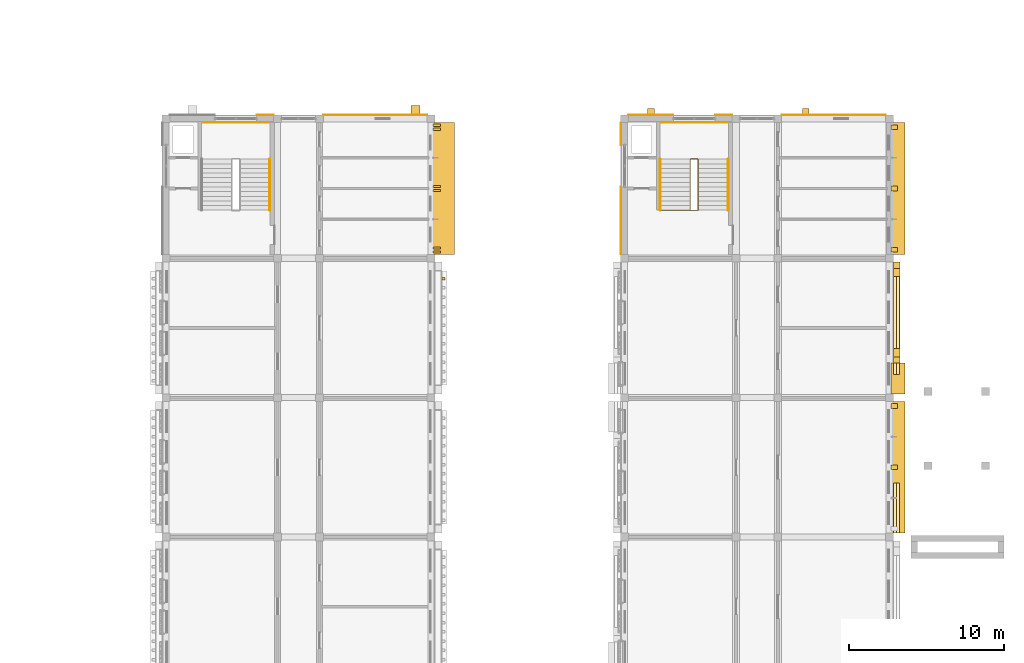
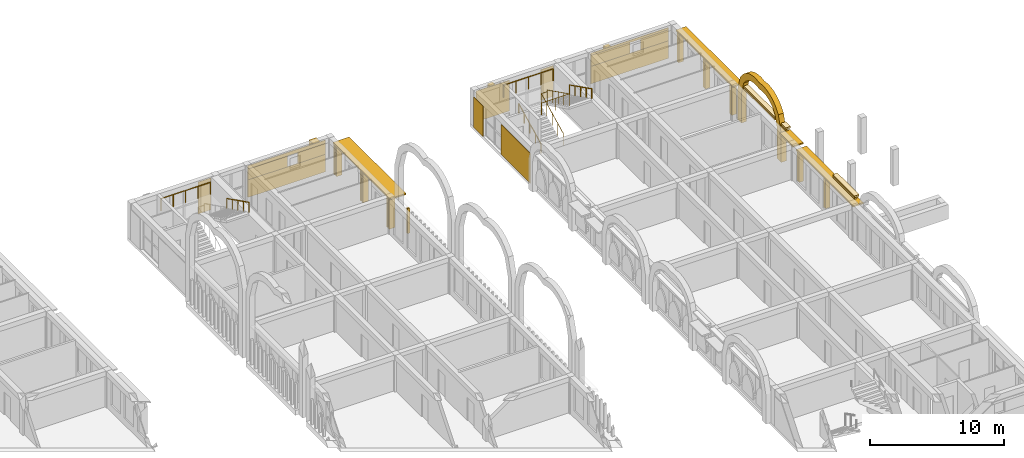
# One storey, part 82 of 82: 35 coverings, 6 railings, 4 shading devices.
"""IFC4 building model written with IfcOpenShell, lengths in metres."""

from ifc_helpers import new_model, si_unit, direction, frame, origin, origin_2d, place, context, subcontext, project, spatial, polyline, rectangle, circle, outline, extrude, material, layer, layer_set, type_object, element, save


model = new_model("IFC4")

# Units and contexts
model_context = context("Model", 3, precision=1e-05, world=origin(), true_north=direction((0.0, 1.0)))
body_context = subcontext(model_context, "Body", "Model", "MODEL_VIEW")
ifc_project = project(units=[si_unit("LENGTHUNIT", "METRE"), si_unit("AREAUNIT", "SQUARE_METRE"), si_unit("VOLUMEUNIT", "CUBIC_METRE"), si_unit("PLANEANGLEUNIT", "RADIAN"), si_unit("MASSUNIT", "GRAM", prefix="KILO")], contexts=[model_context])

# Site, building, storey
site_placement = place(None, origin())
site = spatial("IfcSite", under=ifc_project, at=site_placement, CompositionType="ELEMENT")
building_placement = place(site_placement, origin())
building = spatial("IfcBuilding", under=site, at=building_placement, Name="Elbe Cascade School", CompositionType="ELEMENT")
storey_placement = place(building_placement, frame((0.0, 0.0, 4.5)))
storey = spatial("IfcBuildingStorey", under=building, at=storey_placement, Name="L01", CompositionType="ELEMENT", Elevation=4.5)

# Railings
ifc_material_1 = material(Name="Steel S355J2H, painted", Category="steel")
railing_type_1 = type_object("IfcRailingType", Name="Bar stair guard 1100", PredefinedType="GUARDRAIL", material=ifc_material_1)
railing_1_placement = place(storey_placement, frame((130.56005859375, 59.760009765625, 1.800048828125)))
element("IfcRailing", 1, at=railing_1_placement, inside=storey, type_object=railing_type_1, Name="Stair guard C1.N", PredefinedType="GUARDRAIL", context=body_context, shape_type="SweptSolid", body=[
    extrude(circle(Radius=0.02392578125, at=origin_2d()), frame((0.0, 0.0, 1.09619140625), z_axis=(1.0, 0.0, 0.0), x_axis=(0.0, 1.0, 0.0)), (0.0, 0.0, 1.0), 4.280029296875),
    extrude(circle(Radius=0.02099609375, at=origin_2d()), origin(), (0.0, 0.0, 1.0), 1.072021484375),
    extrude(circle(Radius=0.02099609375, at=origin_2d()), frame((1.070068359375, 0.0, 0.0)), (0.0, 0.0, 1.0), 1.072021484375),
    extrude(circle(Radius=0.02099609375, at=origin_2d()), frame((2.14013671875, 0.0, 0.0)), (0.0, 0.0, 1.0), 1.072021484375),
    extrude(circle(Radius=0.02099609375, at=origin_2d()), frame((3.2099609375, 0.0, 0.0)), (0.0, 0.0, 1.0), 1.072021484375),
    extrude(circle(Radius=0.02099609375, at=origin_2d()), frame((4.280029296875, 0.0, 0.0)), (0.0, 0.0, 1.0), 1.072021484375),
])
railing_2_placement = place(storey_placement, frame((162.050048828125, 54.10009765625, 0.14990234375)))
element("IfcRailing", 2, at=railing_2_placement, inside=storey, type_object=railing_type_1, Name="Stair guard D1.N", PredefinedType="GUARDRAIL", context=body_context, shape_type="SweptSolid", body=[
    extrude(circle(Radius=0.02392578125, at=origin_2d()), frame((0.0, 0.0, 1.09619140625), z_axis=(0.0, 0.894400720042, 0.447266533499), x_axis=(-1.0, 0.0, 0.0)), (0.0, 0.0, 1.0), 3.689453125),
    extrude(circle(Radius=0.02392578125, at=origin_2d()), frame((0.0, 3.2998046875, 2.74609375), z_axis=(1.0, 0.0, 0.0), x_axis=(0.0, 1.0, 0.0)), (0.0, 0.0, 1.0), 0.5),
    extrude(circle(Radius=0.02392578125, at=origin_2d()), frame((0.5, 3.2998046875, 2.74609375), z_axis=(0.0, 0.0, 1.0), x_axis=(1.0, 0.0, 0.0)), (0.0, 0.0, 1.0), 0.14990234375),
    extrude(circle(Radius=0.02392578125, at=origin_2d()), frame((0.5, 3.2998046875, 2.89599609375), z_axis=(0.0, -0.894400720042, 0.447266533499), x_axis=(1.0, 0.0, 0.0)), (0.0, 0.0, 1.0), 3.689453125),
    extrude(circle(Radius=0.02392578125, at=origin_2d()), frame((0.5, 0.0, 4.54638671875), z_axis=(-1.0, 0.0, 0.0), x_axis=(0.0, -1.0, 0.0)), (0.0, 0.0, 1.0), 2.39013671875),
    extrude(circle(Radius=0.02099609375, at=origin_2d()), origin(), (0.0, 0.0, 1.0), 1.072021484375),
    extrude(circle(Radius=0.02099609375, at=origin_2d()), frame((0.0, 0.824951171875, 0.41259765625)), (0.0, 0.0, 1.0), 1.072021484375),
    extrude(circle(Radius=0.02099609375, at=origin_2d()), frame((0.0, 1.64990234375, 0.8251953125)), (0.0, 0.0, 1.0), 1.072021484375),
    extrude(circle(Radius=0.02099609375, at=origin_2d()), frame((0.0, 2.474853515625, 1.237548828125)), (0.0, 0.0, 1.0), 1.072021484375),
    extrude(circle(Radius=0.02099609375, at=origin_2d()), frame((0.0, 3.2998046875, 1.650146484375)), (0.0, 0.0, 1.0), 1.072021484375),
    extrude(circle(Radius=0.02099609375, at=origin_2d()), frame((0.5, 3.2998046875, 1.650146484375)), (0.0, 0.0, 1.0), 1.072021484375),
    extrude(circle(Radius=0.02099609375, at=origin_2d()), frame((0.5, 3.2998046875, 1.800048828125)), (0.0, 0.0, 1.0), 1.072021484375),
    extrude(circle(Radius=0.02099609375, at=origin_2d()), frame((0.5, 2.474853515625, 2.212646484375)), (0.0, 0.0, 1.0), 1.072021484375),
    extrude(circle(Radius=0.02099609375, at=origin_2d()), frame((0.5, 1.64990234375, 2.625)), (0.0, 0.0, 1.0), 1.072021484375),
    extrude(circle(Radius=0.02099609375, at=origin_2d()), frame((0.5, 0.824951171875, 3.03759765625)), (0.0, 0.0, 1.0), 1.072021484375),
    extrude(circle(Radius=0.02099609375, at=origin_2d()), frame((0.5, 0.0, 3.4501953125)), (0.0, 0.0, 1.0), 1.072021484375),
    extrude(circle(Radius=0.02099609375, at=origin_2d()), frame((-0.695068359375, 0.0, 3.4501953125)), (0.0, 0.0, 1.0), 1.072021484375),
    extrude(circle(Radius=0.02099609375, at=origin_2d()), frame((-1.89013671875, 0.0, 3.4501953125)), (0.0, 0.0, 1.0), 1.072021484375),
])
railing_3_placement = place(storey_placement, frame((160.159912109375, 59.760009765625, 1.800048828125)))
element("IfcRailing", 3, at=railing_3_placement, inside=storey, type_object=railing_type_1, Name="Stair guard D1.N", PredefinedType="GUARDRAIL", context=body_context, shape_type="SweptSolid", body=[
    extrude(circle(Radius=0.02392578125, at=origin_2d()), frame((0.0, 0.0, 1.09619140625), z_axis=(1.0, 0.0, 0.0), x_axis=(0.0, 1.0, 0.0)), (0.0, 0.0, 1.0), 4.280029296875),
    extrude(circle(Radius=0.02099609375, at=origin_2d()), origin(), (0.0, 0.0, 1.0), 1.072021484375),
    extrude(circle(Radius=0.02099609375, at=origin_2d()), frame((1.070068359375, 0.0, 0.0)), (0.0, 0.0, 1.0), 1.072021484375),
    extrude(circle(Radius=0.02099609375, at=origin_2d()), frame((2.14013671875, 0.0, 0.0)), (0.0, 0.0, 1.0), 1.072021484375),
    extrude(circle(Radius=0.02099609375, at=origin_2d()), frame((3.2099609375, 0.0, 0.0)), (0.0, 0.0, 1.0), 1.072021484375),
    extrude(circle(Radius=0.02099609375, at=origin_2d()), frame((4.280029296875, 0.0, 0.0)), (0.0, 0.0, 1.0), 1.072021484375),
])
ifc_material_2 = material(Name="Steel S355J2H, painted", Category="steel")
railing_type_2 = type_object("IfcRailingType", Name="Bar stair handrail 900", PredefinedType="HANDRAIL", material=ifc_material_2)
railing_4_placement = place(storey_placement, frame((134.89990234375, 57.39990234375, 1.949951171875)))
element("IfcRailing", 4, at=railing_4_placement, inside=storey, type_object=railing_type_2, Name="Stair handrail C1.N", PredefinedType="HANDRAIL", context=body_context, shape_type="SweptSolid", body=[
    extrude(circle(Radius=0.02392578125, at=origin_2d()), frame((0.0, 0.0, 0.8759765625), z_axis=(0.0, -0.894400720042, 0.447266533499), x_axis=(1.0, 0.0, 0.0)), (0.0, 0.0, 1.0), 3.689453125),
    extrude(circle(Radius=0.02099609375, at=origin_2d()), origin(), (0.0, 0.0, 1.0), 0.851806640625),
    extrude(circle(Radius=0.02099609375, at=origin_2d()), frame((0.0, -0.824951171875, 0.41259765625)), (0.0, 0.0, 1.0), 0.851806640625),
    extrude(circle(Radius=0.02099609375, at=origin_2d()), frame((0.0, -1.64990234375, 0.8251953125)), (0.0, 0.0, 1.0), 0.851806640625),
    extrude(circle(Radius=0.02099609375, at=origin_2d()), frame((0.0, -2.474853515625, 1.237548828125)), (0.0, 0.0, 1.0), 0.851806640625),
    extrude(circle(Radius=0.02099609375, at=origin_2d()), frame((0.0, -3.2998046875, 1.650146484375)), (0.0, 0.0, 1.0), 0.851806640625),
])
railing_5_placement = place(storey_placement, frame((160.10009765625, 54.10009765625, 0.14990234375)))
element("IfcRailing", 5, at=railing_5_placement, inside=storey, type_object=railing_type_2, Name="Stair handrail D1.N", PredefinedType="HANDRAIL", context=body_context, shape_type="SweptSolid", body=[
    extrude(circle(Radius=0.02392578125, at=origin_2d()), frame((0.0, 0.0, 0.8759765625), z_axis=(0.0, 0.894400720042, 0.447266533499), x_axis=(-1.0, 0.0, 0.0)), (0.0, 0.0, 1.0), 3.689453125),
    extrude(circle(Radius=0.02099609375, at=origin_2d()), origin(), (0.0, 0.0, 1.0), 0.851806640625),
    extrude(circle(Radius=0.02099609375, at=origin_2d()), frame((0.0, 0.824951171875, 0.41259765625)), (0.0, 0.0, 1.0), 0.851806640625),
    extrude(circle(Radius=0.02099609375, at=origin_2d()), frame((0.0, 1.64990234375, 0.8251953125)), (0.0, 0.0, 1.0), 0.851806640625),
    extrude(circle(Radius=0.02099609375, at=origin_2d()), frame((0.0, 2.474853515625, 1.237548828125)), (0.0, 0.0, 1.0), 0.851806640625),
    extrude(circle(Radius=0.02099609375, at=origin_2d()), frame((0.0, 3.2998046875, 1.650146484375)), (0.0, 0.0, 1.0), 0.851806640625),
])
railing_6_placement = place(storey_placement, frame((164.5, 57.39990234375, 1.949951171875)))
element("IfcRailing", 6, at=railing_6_placement, inside=storey, type_object=railing_type_2, Name="Stair handrail D1.N", PredefinedType="HANDRAIL", context=body_context, shape_type="SweptSolid", body=[
    extrude(circle(Radius=0.02392578125, at=origin_2d()), frame((0.0, 0.0, 0.8759765625), z_axis=(0.0, -0.894400720042, 0.447266533499), x_axis=(1.0, 0.0, 0.0)), (0.0, 0.0, 1.0), 3.689453125),
    extrude(circle(Radius=0.02099609375, at=origin_2d()), origin(), (0.0, 0.0, 1.0), 0.851806640625),
    extrude(circle(Radius=0.02099609375, at=origin_2d()), frame((0.0, -0.824951171875, 0.41259765625)), (0.0, 0.0, 1.0), 0.851806640625),
    extrude(circle(Radius=0.02099609375, at=origin_2d()), frame((0.0, -1.64990234375, 0.8251953125)), (0.0, 0.0, 1.0), 0.851806640625),
    extrude(circle(Radius=0.02099609375, at=origin_2d()), frame((0.0, -2.474853515625, 1.237548828125)), (0.0, 0.0, 1.0), 0.851806640625),
    extrude(circle(Radius=0.02099609375, at=origin_2d()), frame((0.0, -3.2998046875, 1.650146484375)), (0.0, 0.0, 1.0), 0.851806640625),
])

# Shading devices
ifc_material_3 = material(Name="Precast concrete C30/37", Category="concrete")
ifc_layer_1 = layer(ifc_material_3, 0.1201171875)
ifc_layer_set_1 = layer_set([ifc_layer_1], Name="Precast concrete C30/37")
shading_device_type_1 = type_object("IfcShadingDeviceType", Name="Bars envelope Chhajja eave, precast concrete, 1400 x 120", PredefinedType="USERDEFINED", material=ifc_layer_set_1)
shading_device_1_placement = place(storey_placement, frame((146.1201171875, 55.5, 2.72998046875), z_axis=(0.0, 0.0, 1.0), x_axis=(0.0, 1.0, 0.0)))
element("IfcShadingDevice", 7, at=shading_device_1_placement, inside=storey, type_object=shading_device_type_1, Name="Chhajja eave SD8 C.L01.e6", ObjectType="CHHAJJA", PredefinedType="USERDEFINED", context=body_context, shape_type="SweptSolid", body=[
    extrude(rectangle(XDim=8.5, YDim=1.39990234375, at=origin_2d()), origin(), (0.0, 0.0, 1.0), 0.1201171875),
])
ifc_material_4 = material(Name="Precast concrete C30/37", Category="concrete")
ifc_layer_2 = layer(ifc_material_4, 0.1201171875)
ifc_layer_set_2 = layer_set([ifc_layer_2], Name="Precast concrete C30/37")
shading_device_type_2 = type_object("IfcShadingDeviceType", Name="Bars envelope Chhajja eave, precast concrete, 900 x 120", PredefinedType="USERDEFINED", material=ifc_layer_set_2)
shading_device_2_placement = place(storey_placement, frame((175.469970703125, 37.5, 2.6298828125), z_axis=(0.0, 0.0, 1.0), x_axis=(0.0, 1.0, 0.0)))
element("IfcShadingDevice", 8, at=shading_device_2_placement, inside=storey, type_object=shading_device_type_2, Name="Chhajja eave SD2 D.L01.e4", ObjectType="CHHAJJA", PredefinedType="USERDEFINED", context=body_context, shape_type="SweptSolid", body=[
    extrude(rectangle(XDim=8.5, YDim=0.89990234375, at=origin_2d()), origin(), (0.0, 0.0, 1.0), 0.1201171875),
])
shading_device_3_placement = place(storey_placement, frame((175.469970703125, 43.239990234375, 2.6298828125), z_axis=(0.0, 0.0, 1.0), x_axis=(0.0, 1.0, 0.0)))
element("IfcShadingDevice", 9, at=shading_device_3_placement, inside=storey, type_object=shading_device_type_2, Name="Chhajja eave SD2 D.L01.e5a", ObjectType="CHHAJJA", PredefinedType="USERDEFINED", context=body_context, shape_type="SweptSolid", body=[
    extrude(rectangle(XDim=1.97998046875, YDim=0.89990234375, at=origin_2d()), origin(), (0.0, 0.0, 1.0), 0.1201171875),
])
shading_device_4_placement = place(storey_placement, frame((175.469970703125, 55.5, 2.6298828125), z_axis=(0.0, 0.0, 1.0), x_axis=(0.0, 1.0, 0.0)))
element("IfcShadingDevice", 10, at=shading_device_4_placement, inside=storey, type_object=shading_device_type_2, Name="Chhajja eave SD2 D.L01.e6", ObjectType="CHHAJJA", PredefinedType="USERDEFINED", context=body_context, shape_type="SweptSolid", body=[
    extrude(rectangle(XDim=8.5, YDim=0.89990234375, at=origin_2d()), origin(), (0.0, 0.0, 1.0), 0.1201171875),
])

# Coverings
ifc_material_5 = material(Name="Precast concrete C40/50", Category="concrete")
covering_type_1 = type_object("IfcCoveringType", Name="Bars envelope Precast concrete fin, 140 wide, 500 deep", PredefinedType="CLADDING", material=ifc_material_5)
for number, where, z_axis, x_axis, name in (
    (11, (145.669921875, 51.409912109375, 0.0), (0.0, 0.0, 1.0), (0.0, 1.0, 0.0), "Fin CV62 C.L01.e6.1"),
    (12, (145.669921875, 51.669921875, 0.0), (0.0, 0.0, 1.0), (0.0, 1.0, 0.0), "Fin CV62 C.L01.e6.2"),
    (13, (145.669921875, 55.3701171875, 0.0), (0.0, 0.0, 1.0), (0.0, 1.0, 0.0), "Fin CV62 C.L01.e6.3"),
    (14, (145.669921875, 55.6298828125, 0.0), (0.0, 0.0, 1.0), (0.0, 1.0, 0.0), "Fin CV62 C.L01.e6.4"),
    (15, (145.669921875, 59.330078125, 0.0), (0.0, 0.0, 1.0), (0.0, 1.0, 0.0), "Fin CV62 C.L01.e6.5"),
    (16, (145.669921875, 59.590087890625, 0.0), (0.0, 0.0, 1.0), (0.0, 1.0, 0.0), "Fin CV62 C.L01.e6.6"),
):
    element("IfcCovering", number, at=place(storey_placement, frame(where, z_axis=z_axis, x_axis=x_axis)), inside=storey, type_object=covering_type_1, Name=name, PredefinedType="CLADDING", context=body_context, shape_type="SweptSolid", body=[
        extrude(rectangle(XDim=0.139892578125, YDim=0.5, at=origin_2d()), origin(), (0.0, 0.0, 1.0), 2.72998046875),
    ])
ifc_material_6 = material(Name="Precast concrete C40/50", Category="concrete")
covering_type_2 = type_object("IfcCoveringType", Name="Bars envelope Precast concrete fin, 300 wide, 400 deep", PredefinedType="CLADDING", material=ifc_material_6)
for number, where, z_axis, x_axis, name in (
    (17, (175.219970703125, 37.5, 0.0), (0.0, 0.0, 1.0), (0.0, 1.0, 0.0), "Fin CV67 D.L01.e4.2"),
    (18, (175.219970703125, 41.4599609375, 0.0), (0.0, 0.0, 1.0), (0.0, 1.0, 0.0), "Fin CV67 D.L01.e4.3"),
    (19, (175.219970703125, 51.5400390625, 0.0), (0.0, 0.0, 1.0), (0.0, 1.0, 0.0), "Fin CV67 D.L01.e6.1"),
    (20, (175.219970703125, 55.5, 0.0), (0.0, 0.0, 1.0), (0.0, 1.0, 0.0), "Fin CV67 D.L01.e6.2"),
    (21, (175.219970703125, 59.4599609375, 0.0), (0.0, 0.0, 1.0), (0.0, 1.0, 0.0), "Fin CV67 D.L01.e6.3"),
):
    element("IfcCovering", number, at=place(storey_placement, frame(where, z_axis=z_axis, x_axis=x_axis)), inside=storey, type_object=covering_type_2, Name=name, PredefinedType="CLADDING", context=body_context, shape_type="SweptSolid", body=[
        extrude(rectangle(XDim=0.300048828125, YDim=0.39990234375, at=origin_2d()), origin(), (0.0, 0.0, 1.0), 2.6298828125),
    ])
ifc_material_7 = material(Name="Precast concrete C40/50", Category="concrete")
covering_type_3 = type_object("IfcCoveringType", Name="Bars envelope Precast concrete gable fin, 450 wide, 400 deep", PredefinedType="CLADDING", material=ifc_material_7)
for number, where, z_axis, x_axis, name in (
    (22, (159.5, 60.4599609375, 0.0), (0.0, 0.0, 1.0), (1.0, 0.0, 0.0), "Fin CV69 D.L01.n.1"),
    (23, (169.5, 60.4599609375, 0.0), (0.0, 0.0, 1.0), (1.0, 0.0, 0.0), "Fin CV69 D.L01.n.2"),
):
    element("IfcCovering", number, at=place(storey_placement, frame(where, z_axis=z_axis, x_axis=x_axis)), inside=storey, type_object=covering_type_3, Name=name, PredefinedType="CLADDING", context=body_context, shape_type="SweptSolid", body=[
        extrude(rectangle(XDim=0.449951171875, YDim=0.39990234375, at=origin_2d()), origin(), (0.0, 0.0, 1.0), 2.800048828125),
    ])
ifc_material_8 = material(Name="Precast concrete C40/50", Category="concrete")
covering_type_4 = type_object("IfcCoveringType", Name="Bars envelope Precast concrete gable fin, 600 wide, 600 deep", PredefinedType="CLADDING", material=ifc_material_8)
covering_1_placement = place(storey_placement, frame((144.300048828125, 60.56005859375, 0.0), z_axis=(0.0, 0.0, 1.0), x_axis=(1.0, 0.0, 0.0)))
element("IfcCovering", 24, at=covering_1_placement, inside=storey, type_object=covering_type_4, Name="Fin CV63 C.L01.n.2", PredefinedType="CLADDING", context=body_context, shape_type="SweptSolid", body=[
    extrude(rectangle(XDim=0.60009765625, YDim=0.60009765625, at=origin_2d()), origin(), (0.0, 0.0, 1.0), 2.89990234375),
])
ifc_material_9 = material(Name="Sandstone - red", Category="masonry")
covering_type_5 = type_object("IfcCoveringType", Name="Bars envelope Sandstone arch frame triple, 6520 wide, 450 deep", PredefinedType="CLADDING", material=ifc_material_9)
covering_2_placement = place(storey_placement, frame((175.60009765625, 44.81005859375, 0.0), z_axis=(1.0, 0.0, 0.0), x_axis=(0.0, 0.0, 1.0)))
element("IfcCovering", 25, at=covering_2_placement, inside=storey, type_object=covering_type_5, Name="Arch frame CV70 D.L01.e5", PredefinedType="CLADDING", context=body_context, shape_type="SweptSolid", body=[
    extrude(outline(polyline([(0.0, 0.0), (2.699951171875, 0.0), (3.83837890625, -0.3349609375), (4.23828125, -0.669921875), (4.49267578125, -1.0048828125), (4.658447265625, -1.33984375), (4.757568359375, -1.675048828125), (4.79931640625, -2.010009765625), (4.787109375, -2.344970703125), (4.719970703125, -2.679931640625), (4.787109375, -3.014892578125), (4.79931640625, -3.349853515625), (4.757568359375, -3.68505859375), (4.658447265625, -4.02001953125), (4.49267578125, -4.35498046875), (4.23828125, -4.68994140625), (3.83837890625, -5.02490234375), (2.699951171875, -5.35986328125), (0.0, -5.35986328125), (0.0, -5.93994140625), (2.699951171875, -5.93994140625), (4.11669921875, -5.532470703125), (4.618896484375, -5.125), (4.94189453125, -4.717529296875), (5.156982421875, -4.31005859375), (5.29150390625, -3.90234375), (5.357666015625, -3.494873046875), (5.3603515625, -3.08740234375), (5.300048828125, -2.679931640625), (5.3603515625, -2.2724609375), (5.357666015625, -1.864990234375), (5.29150390625, -1.45751953125), (5.156982421875, -1.050048828125), (4.94189453125, -0.642333984375), (4.618896484375, -0.23486328125), (4.11669921875, 0.172607421875), (2.699951171875, 0.580078125), (0.0, 0.580078125), (0.0, 0.0)])), origin(), (0.0, 0.0, -1.0), 0.449951171875),
])
ifc_material_10 = material(Name="Sandstone - red", Category="masonry")
ifc_layer_3 = layer(ifc_material_10, 0.0400390625)
ifc_layer_set_3 = layer_set([ifc_layer_3], Name="Sandstone - red")
covering_type_6 = type_object("IfcCoveringType", Name="Bars envelope Sandstone cladding, red, 40 mm", PredefinedType="CLADDING", material=ifc_layer_set_3)
covering_3_placement = place(storey_placement, frame((134.60009765625, 60.239990234375, 0.0), z_axis=(0.0, 0.0, 1.0), x_axis=(1.0, 0.0, 0.0)))
element("IfcCovering", 26, at=covering_3_placement, inside=storey, type_object=covering_type_6, Name="Sandstone cladding CV48 C.L01.n.1b.1", PredefinedType="CLADDING", context=body_context, shape_type="SweptSolid", body=[
    extrude(rectangle(XDim=1.10009765625, YDim=0.0400390625, at=origin_2d()), origin(), (0.0, 0.0, 1.0), 2.89990234375),
])
covering_4_placement = place(storey_placement, frame((141.699951171875, 60.239990234375, 0.0), z_axis=(0.0, 0.0, 1.0), x_axis=(1.0, 0.0, 0.0)))
element("IfcCovering", 27, at=covering_4_placement, inside=storey, type_object=covering_type_6, Name="Sandstone cladding CV48 C.L01.n.3.1", PredefinedType="CLADDING", context=body_context, shape_type="SweptSolid", body=[
    extrude(rectangle(XDim=6.699951171875, YDim=0.0400390625, at=origin_2d()), origin(), (0.0, 0.0, 1.0), 1.60009765625),
])
covering_5_placement = place(storey_placement, frame((140.050048828125, 60.239990234375, 1.60009765625), z_axis=(0.0, 0.0, 1.0), x_axis=(1.0, 0.0, 0.0)))
element("IfcCovering", 28, at=covering_5_placement, inside=storey, type_object=covering_type_6, Name="Sandstone cladding CV48 C.L01.n.3.2", PredefinedType="CLADDING", context=body_context, shape_type="SweptSolid", body=[
    extrude(rectangle(XDim=3.39990234375, YDim=0.0400390625, at=origin_2d()), origin(), (0.0, 0.0, 1.0), 1.0),
])
covering_6_placement = place(storey_placement, frame((143.85009765625, 60.239990234375, 1.60009765625), z_axis=(0.0, 0.0, 1.0), x_axis=(1.0, 0.0, 0.0)))
element("IfcCovering", 29, at=covering_6_placement, inside=storey, type_object=covering_type_6, Name="Sandstone cladding CV48 C.L01.n.3.3", PredefinedType="CLADDING", context=body_context, shape_type="SweptSolid", body=[
    extrude(rectangle(XDim=2.39990234375, YDim=0.0400390625, at=origin_2d()), origin(), (0.0, 0.0, 1.0), 1.0),
])
covering_7_placement = place(storey_placement, frame((141.699951171875, 60.239990234375, 2.60009765625), z_axis=(0.0, 0.0, 1.0), x_axis=(1.0, 0.0, 0.0)))
element("IfcCovering", 30, at=covering_7_placement, inside=storey, type_object=covering_type_6, Name="Sandstone cladding CV48 C.L01.n.3.4", PredefinedType="CLADDING", context=body_context, shape_type="SweptSolid", body=[
    extrude(rectangle(XDim=6.699951171875, YDim=0.0400390625, at=origin_2d()), origin(), (0.0, 0.0, 1.0), 0.300048828125),
])
covering_8_placement = place(storey_placement, frame((157.56005859375, 53.429931640625, 0.0), z_axis=(0.0, 0.0, 1.0), x_axis=(0.0, 1.0, 0.0)))
element("IfcCovering", 31, at=covering_8_placement, inside=storey, type_object=covering_type_6, Name="Sandstone cladding CV48 D.L01.w.6a.1", PredefinedType="CLADDING", context=body_context, shape_type="SweptSolid", body=[
    extrude(rectangle(XDim=4.360107421875, YDim=0.0400390625, at=origin_2d()), origin(), (0.0, 0.0, 1.0), 2.75),
])
covering_9_placement = place(storey_placement, frame((157.56005859375, 59.030029296875, 0.0), z_axis=(0.0, 0.0, 1.0), x_axis=(0.0, 1.0, 0.0)))
element("IfcCovering", 32, at=covering_9_placement, inside=storey, type_object=covering_type_6, Name="Sandstone cladding CV48 D.L01.w.6b.1", PredefinedType="CLADDING", context=body_context, shape_type="SweptSolid", body=[
    extrude(rectangle(XDim=1.43994140625, YDim=0.0400390625, at=origin_2d()), origin(), (0.0, 0.0, 1.0), 2.75),
])
covering_10_placement = place(storey_placement, frame((159.5, 60.239990234375, 0.0), z_axis=(0.0, 0.0, 1.0), x_axis=(1.0, 0.0, 0.0)))
element("IfcCovering", 33, at=covering_10_placement, inside=storey, type_object=covering_type_6, Name="Sandstone cladding CV48 D.L01.n.1a.1", PredefinedType="CLADDING", context=body_context, shape_type="SweptSolid", body=[
    extrude(rectangle(XDim=2.89990234375, YDim=0.0400390625, at=origin_2d()), origin(), (0.0, 0.0, 1.0), 2.800048828125),
])
covering_11_placement = place(storey_placement, frame((164.199951171875, 60.239990234375, 0.0), z_axis=(0.0, 0.0, 1.0), x_axis=(1.0, 0.0, 0.0)))
element("IfcCovering", 34, at=covering_11_placement, inside=storey, type_object=covering_type_6, Name="Sandstone cladding CV48 D.L01.n.1b.1", PredefinedType="CLADDING", context=body_context, shape_type="SweptSolid", body=[
    extrude(rectangle(XDim=1.10009765625, YDim=0.0400390625, at=origin_2d()), origin(), (0.0, 0.0, 1.0), 2.800048828125),
])
covering_12_placement = place(storey_placement, frame((171.300048828125, 60.239990234375, 0.0), z_axis=(0.0, 0.0, 1.0), x_axis=(1.0, 0.0, 0.0)))
element("IfcCovering", 35, at=covering_12_placement, inside=storey, type_object=covering_type_6, Name="Sandstone cladding CV48 D.L01.n.3.1", PredefinedType="CLADDING", context=body_context, shape_type="SweptSolid", body=[
    extrude(rectangle(XDim=6.699951171875, YDim=0.0400390625, at=origin_2d()), origin(), (0.0, 0.0, 1.0), 1.60009765625),
])
covering_13_placement = place(storey_placement, frame((169.64990234375, 60.239990234375, 1.60009765625), z_axis=(0.0, 0.0, 1.0), x_axis=(1.0, 0.0, 0.0)))
element("IfcCovering", 36, at=covering_13_placement, inside=storey, type_object=covering_type_6, Name="Sandstone cladding CV48 D.L01.n.3.2", PredefinedType="CLADDING", context=body_context, shape_type="SweptSolid", body=[
    extrude(rectangle(XDim=3.39990234375, YDim=0.0400390625, at=origin_2d()), origin(), (0.0, 0.0, 1.0), 1.0),
])
covering_14_placement = place(storey_placement, frame((173.449951171875, 60.239990234375, 1.60009765625), z_axis=(0.0, 0.0, 1.0), x_axis=(1.0, 0.0, 0.0)))
element("IfcCovering", 37, at=covering_14_placement, inside=storey, type_object=covering_type_6, Name="Sandstone cladding CV48 D.L01.n.3.3", PredefinedType="CLADDING", context=body_context, shape_type="SweptSolid", body=[
    extrude(rectangle(XDim=2.39990234375, YDim=0.0400390625, at=origin_2d()), origin(), (0.0, 0.0, 1.0), 1.0),
])
covering_15_placement = place(storey_placement, frame((171.300048828125, 60.239990234375, 2.60009765625), z_axis=(0.0, 0.0, 1.0), x_axis=(1.0, 0.0, 0.0)))
element("IfcCovering", 38, at=covering_15_placement, inside=storey, type_object=covering_type_6, Name="Sandstone cladding CV48 D.L01.n.3.4", PredefinedType="CLADDING", context=body_context, shape_type="SweptSolid", body=[
    extrude(rectangle(XDim=6.699951171875, YDim=0.0400390625, at=origin_2d()), origin(), (0.0, 0.0, 1.0), 0.199951171875),
])
ifc_material_11 = material(Name="Sandstone - red", Category="masonry")
covering_type_7 = type_object("IfcCoveringType", Name="Bars envelope Sandstone cornice lower step, 200 deep", PredefinedType="CLADDING", material=ifc_material_11)
covering_16_placement = place(storey_placement, frame((175.25, 34.875, 3.300048828125), z_axis=(0.0, 0.0, 1.0), x_axis=(0.0, 1.0, 0.0)))
element("IfcCovering", 39, at=covering_16_placement, inside=storey, type_object=covering_type_7, Name="Cornice CV71 D.L01.e3.1a", PredefinedType="CLADDING", context=body_context, shape_type="SweptSolid", body=[
    extrude(rectangle(XDim=3.25, YDim=0.199951171875, at=origin_2d()), origin(), (0.0, 0.0, 1.0), 0.14990234375),
])
covering_17_placement = place(storey_placement, frame((175.25, 43.864990234375, 3.300048828125), z_axis=(0.0, 0.0, 1.0), x_axis=(0.0, 1.0, 0.0)))
element("IfcCovering", 40, at=covering_17_placement, inside=storey, type_object=covering_type_7, Name="Cornice CV71 D.L01.e4.1a", PredefinedType="CLADDING", context=body_context, shape_type="SweptSolid", body=[
    extrude(rectangle(XDim=0.72998046875, YDim=0.199951171875, at=origin_2d()), origin(), (0.0, 0.0, 1.0), 0.14990234375),
])
covering_18_placement = place(storey_placement, frame((175.25, 47.489990234375, 3.300048828125), z_axis=(0.0, 0.0, 1.0), x_axis=(0.0, 1.0, 0.0)))
element("IfcCovering", 41, at=covering_18_placement, inside=storey, type_object=covering_type_7, Name="Cornice CV71 D.L01.e4.2a", PredefinedType="CLADDING", context=body_context, shape_type="SweptSolid", body=[
    extrude(rectangle(XDim=4.659912109375, YDim=0.199951171875, at=origin_2d()), origin(), (0.0, 0.0, 1.0), 0.14990234375),
])
ifc_material_12 = material(Name="Sandstone - red", Category="masonry")
covering_type_8 = type_object("IfcCoveringType", Name="Bars envelope Sandstone cornice upper step, 400 deep", PredefinedType="CLADDING", material=ifc_material_12)
covering_19_placement = place(storey_placement, frame((175.35009765625, 34.875, 3.449951171875), z_axis=(0.0, 0.0, 1.0), x_axis=(0.0, 1.0, 0.0)))
element("IfcCovering", 42, at=covering_19_placement, inside=storey, type_object=covering_type_8, Name="Cornice CV72 D.L01.e3.1b", PredefinedType="CLADDING", context=body_context, shape_type="SweptSolid", body=[
    extrude(rectangle(XDim=3.25, YDim=0.39990234375, at=origin_2d()), origin(), (0.0, 0.0, 1.0), 0.14990234375),
])
covering_20_placement = place(storey_placement, frame((175.35009765625, 43.864990234375, 3.449951171875), z_axis=(0.0, 0.0, 1.0), x_axis=(0.0, 1.0, 0.0)))
element("IfcCovering", 43, at=covering_20_placement, inside=storey, type_object=covering_type_8, Name="Cornice CV72 D.L01.e4.1b", PredefinedType="CLADDING", context=body_context, shape_type="SweptSolid", body=[
    extrude(rectangle(XDim=0.72998046875, YDim=0.39990234375, at=origin_2d()), origin(), (0.0, 0.0, 1.0), 0.14990234375),
])
covering_21_placement = place(storey_placement, frame((175.35009765625, 47.489990234375, 3.449951171875), z_axis=(0.0, 0.0, 1.0), x_axis=(0.0, 1.0, 0.0)))
element("IfcCovering", 44, at=covering_21_placement, inside=storey, type_object=covering_type_8, Name="Cornice CV72 D.L01.e4.2b", PredefinedType="CLADDING", context=body_context, shape_type="SweptSolid", body=[
    extrude(rectangle(XDim=4.659912109375, YDim=0.39990234375, at=origin_2d()), origin(), (0.0, 0.0, 1.0), 0.14990234375),
])
ifc_material_13 = material(Name="Sandstone - red", Category="masonry")
covering_type_9 = type_object("IfcCoveringType", Name="Bars envelope Sandstone slat, 160 wide, 200 deep", PredefinedType="CLADDING", material=ifc_material_13)
covering_22_placement = place(storey_placement, frame((146.10009765625, 49.679931640625, 0.4501953125), z_axis=(0.0, 0.0, 1.0), x_axis=(0.0, 1.0, 0.0)))
element("IfcCovering", 45, at=covering_22_placement, inside=storey, type_object=covering_type_9, Name="Slat CV66 C.L01.e4.1.12", PredefinedType="CLADDING", context=body_context, shape_type="SweptSolid", body=[
    extrude(rectangle(XDim=0.159912109375, YDim=0.199951171875, at=origin_2d()), origin(), (0.0, 0.0, 1.0), 2.280029296875),
])

save(model, "model.ifc")
